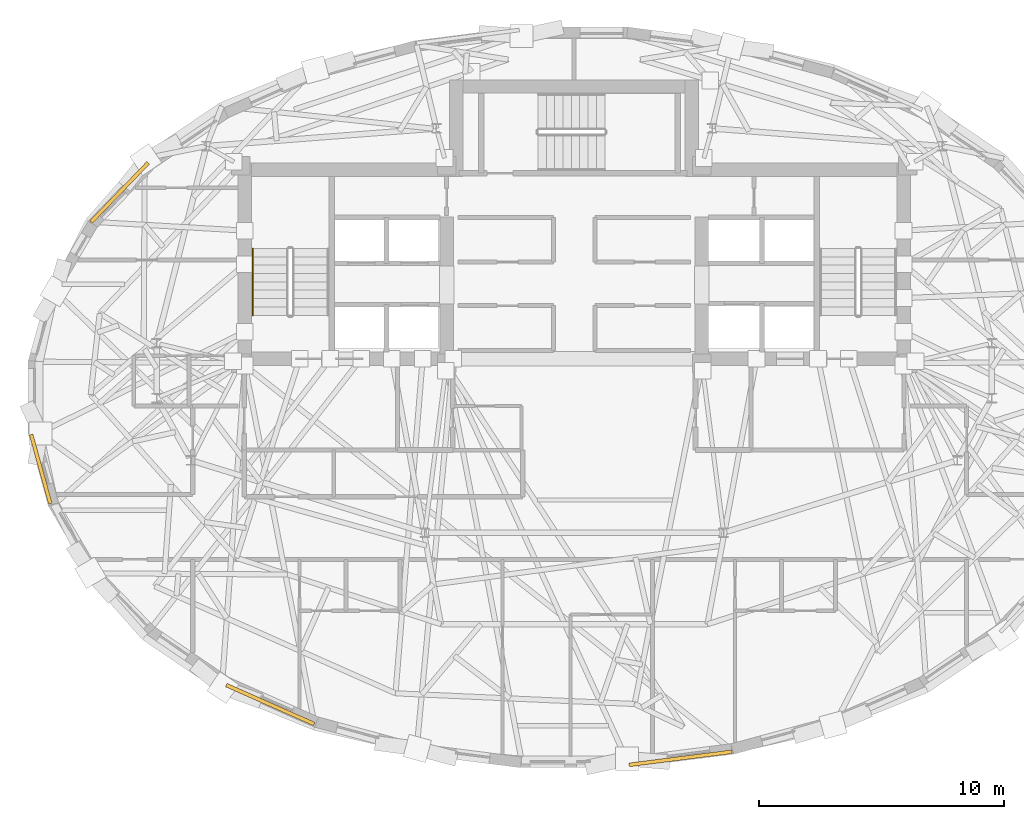
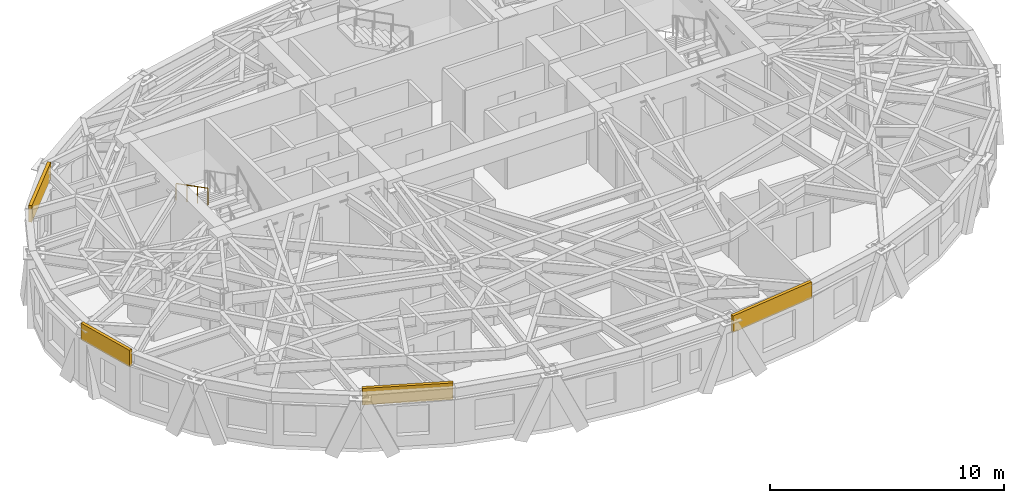
# One storey, part 11 of 13: 4 coverings, 1 railing.
"""IFC4 building model written with IfcOpenShell, lengths in metres."""

from ifc_helpers import new_model, si_unit, direction, frame, origin, origin_2d, place, context, subcontext, project, spatial, rectangle, circle, extrude, material, layer, layer_set, type_object, element, save


model = new_model("IFC4")

# Units and contexts
model_context = context("Model", 3, precision=1e-05, world=origin(), true_north=direction((0.0, 1.0)))
body_context = subcontext(model_context, "Body", "Model", "MODEL_VIEW")
ifc_project = project(units=[si_unit("LENGTHUNIT", "METRE"), si_unit("AREAUNIT", "SQUARE_METRE"), si_unit("VOLUMEUNIT", "CUBIC_METRE"), si_unit("PLANEANGLEUNIT", "RADIAN"), si_unit("MASSUNIT", "GRAM", prefix="KILO")], contexts=[model_context])

# Site, building, storey
site_placement = place(None, origin())
site = spatial("IfcSite", under=ifc_project, at=site_placement, CompositionType="ELEMENT")
building_placement = place(site_placement, origin())
building = spatial("IfcBuilding", under=site, at=building_placement, Name="Keldmark Tower", CompositionType="ELEMENT")
storey_placement = place(building_placement, frame((0.0, 0.0, 232.050048828125)))
storey = spatial("IfcBuildingStorey", under=building, at=storey_placement, Name="L65", CompositionType="ELEMENT", Elevation=232.050048828125)

# Coverings
ifc_material_1 = material(Name="Honed Kasota Buff Dolomitic Limestone", Category="masonry")
ifc_layer = layer(ifc_material_1, 0.074951171875)
ifc_layer_set = layer_set([ifc_layer], Name="Honed Kasota Buff Dolomitic Limestone")
covering_type = type_object("IfcCoveringType", Name="Kasota Buff Limestone Spandrel Cladding Band", PredefinedType="CLADDING", material=ifc_layer_set)
covering_1_placement = place(storey_placement, frame((-18.52978515625, 8.357421875, 2.260009765625), z_axis=(0.0, 0.0, 1.0), x_axis=(-0.694030363635, -0.719945730144, 0.0)))
element("IfcCovering", 1, at=covering_1_placement, inside=storey, type_object=covering_type, Name="L65 Kasota Limestone Spandrel Band 13", PredefinedType="CLADDING", context=body_context, shape_type="SweptSolid", body=[
    extrude(rectangle(XDim=3.356201171875, YDim=0.14990234375, at=origin_2d()), origin(), (0.0, 0.0, 1.0), 0.8701171875),
])
covering_2_placement = place(storey_placement, frame((-21.746826171875, -2.919921875, 2.260009765625), z_axis=(0.0, 0.0, 1.0), x_axis=(0.267742895148, -0.963490395436, 0.0)))
element("IfcCovering", 2, at=covering_2_placement, inside=storey, type_object=covering_type, Name="L65 Kasota Limestone Spandrel Band 17", PredefinedType="CLADDING", context=body_context, shape_type="SweptSolid", body=[
    extrude(rectangle(XDim=2.915771484375, YDim=0.14990234375, at=origin_2d()), origin(), (0.0, 0.0, 1.0), 0.8701171875),
])
covering_3_placement = place(storey_placement, frame((-12.392333984375, -12.51904296875, 2.260009765625), z_axis=(0.0, 0.0, 1.0), x_axis=(0.914190304464, -0.405285192457, 0.0)))
element("IfcCovering", 3, at=covering_3_placement, inside=storey, type_object=covering_type, Name="L65 Kasota Limestone Spandrel Band 21", PredefinedType="CLADDING", context=body_context, shape_type="SweptSolid", body=[
    extrude(rectangle(XDim=3.9169921875, YDim=0.14990234375, at=origin_2d()), origin(), (0.0, 0.0, 1.0), 0.8701171875),
])
covering_4_placement = place(storey_placement, frame((4.3349609375, -14.710205078125, 2.260009765625), z_axis=(0.0, 0.0, 1.0), x_axis=(0.991934312165, 0.126752989507, 0.0)))
element("IfcCovering", 4, at=covering_4_placement, inside=storey, type_object=covering_type, Name="L65 Kasota Limestone Spandrel Band 25", PredefinedType="CLADDING", context=body_context, shape_type="SweptSolid", body=[
    extrude(rectangle(XDim=4.228515625, YDim=0.14990234375, at=origin_2d()), origin(), (0.0, 0.0, 1.0), 0.8701171875),
])

# Railing
ifc_material_2 = material(Name="Stainless Steel AISI 316L", Category="steel")
railing_type = type_object("IfcRailingType", Name="Stainless Steel Stair Handrail 900 mm", PredefinedType="HANDRAIL", material=ifc_material_2)
railing_placement = place(storey_placement, frame((-13.10009765625, 6.070068359375, 1.75)))
element("IfcRailing", 5, at=railing_placement, inside=storey, type_object=railing_type, Name="L65 ST1 stair handrail 2", PredefinedType="HANDRAIL", context=body_context, shape_type="SweptSolid", body=[
    extrude(circle(Radius=0.02392578125, at=origin_2d()), frame((0.0, 0.0, 0.8759765625), z_axis=(0.0, -0.889146794209, 0.457622091194), x_axis=(1.0, 0.0, 0.0)), (0.0, 0.0, 1.0), 3.05908203125),
    extrude(circle(Radius=0.02099609375, at=origin_2d()), origin(), (0.0, 0.0, 1.0), 0.851806640625),
    extrude(circle(Radius=0.02099609375, at=origin_2d()), frame((0.0, -0.90673828125, 0.466552734375)), (0.0, 0.0, 1.0), 0.851806640625),
    extrude(circle(Radius=0.02099609375, at=origin_2d()), frame((0.0, -1.813232421875, 0.933349609375)), (0.0, 0.0, 1.0), 0.851806640625),
    extrude(circle(Radius=0.02099609375, at=origin_2d()), frame((0.0, -2.719970703125, 1.39990234375)), (0.0, 0.0, 1.0), 0.851806640625),
])

save(model, "model.ifc")
